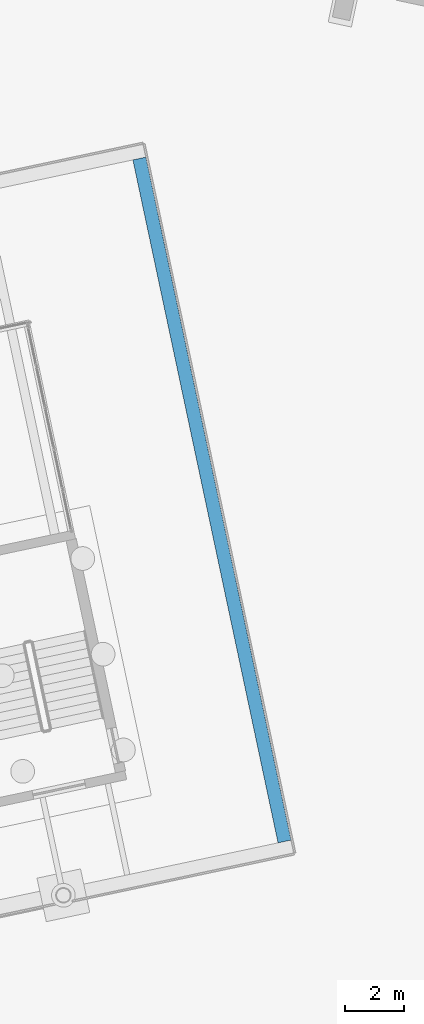
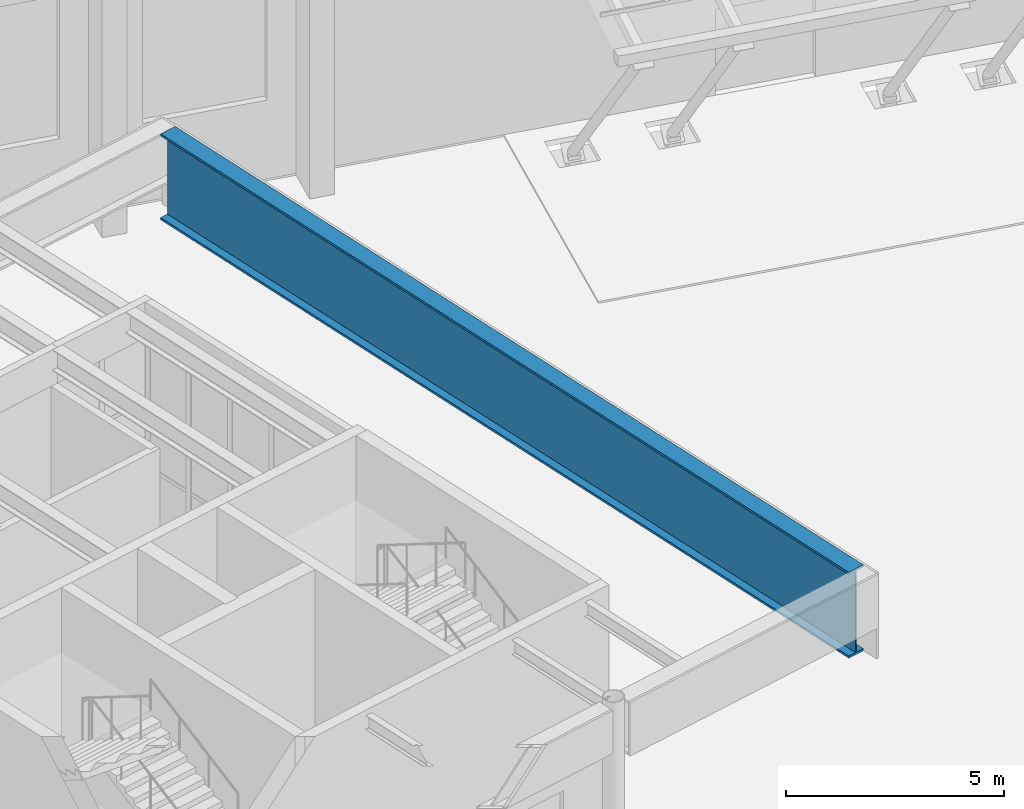
# One storey, part 122 of 239: 1 beam.
"""IFC4 building model written with IfcOpenShell, lengths in metres."""

from ifc_helpers import new_model, si_unit, direction, frame, origin, origin_2d, place, context, subcontext, project, spatial, i_section, extrude, material, material_profile, profile_set, type_object, element, save


model = new_model("IFC4")

# Units and contexts
model_context = context("Model", 3, precision=1e-05, world=origin(), true_north=direction((0.0, 1.0)))
body_context = subcontext(model_context, "Body", "Model", "MODEL_VIEW")
ifc_project = project(units=[si_unit("LENGTHUNIT", "METRE"), si_unit("AREAUNIT", "SQUARE_METRE"), si_unit("VOLUMEUNIT", "CUBIC_METRE"), si_unit("PLANEANGLEUNIT", "RADIAN"), si_unit("MASSUNIT", "GRAM", prefix="KILO")], contexts=[model_context])

# Site, building, storey
site_placement = place(None, origin())
site = spatial("IfcSite", under=ifc_project, at=site_placement, CompositionType="ELEMENT")
building_placement = place(site_placement, origin())
building = spatial("IfcBuilding", under=site, at=building_placement, Name="Okhra Congress Centre", CompositionType="ELEMENT")
storey_placement = place(building_placement, origin())
storey = spatial("IfcBuildingStorey", under=building, at=storey_placement, Name="L00", CompositionType="ELEMENT", Elevation=0.0)

# Beam
ifc_material = material(Name="Steel S355J2", Category="steel")
ifc_material_profile = material_profile(ifc_material, i_section(OverallWidth=0.449951171875, OverallDepth=2.39990234375, WebThickness=0.030029296875, FlangeThickness=0.06005859375, at=origin_2d()), Name="Plate girder 2400x450")
ifc_profile_set = profile_set([ifc_material_profile], Name="Steel S355J2")
beam_type = type_object("IfcBeamType", Name="Transfer plate girder 2400x450", PredefinedType="BEAM", material=ifc_profile_set)
beam_placement = place(storey_placement, frame((218.128173828125, 60.435546875, 5.85009765625), z_axis=(-0.207918145307, 0.978146228767, 0.0), x_axis=(-0.978146228767, -0.207918145307, 0.0)))
element("IfcBeam", 1, at=beam_placement, inside=storey, type_object=beam_type, Name="End transfer girder E", PredefinedType="BEAM", context=body_context, shape_type="SweptSolid", body=[
    extrude(i_section(OverallWidth=0.449951171875, OverallDepth=2.39990234375, WebThickness=0.030029296875, FlangeThickness=0.06005859375, at=origin_2d()), origin(), (0.0, 0.0, 1.0), 23.550048828125),
])

save(model, "model.ifc")
